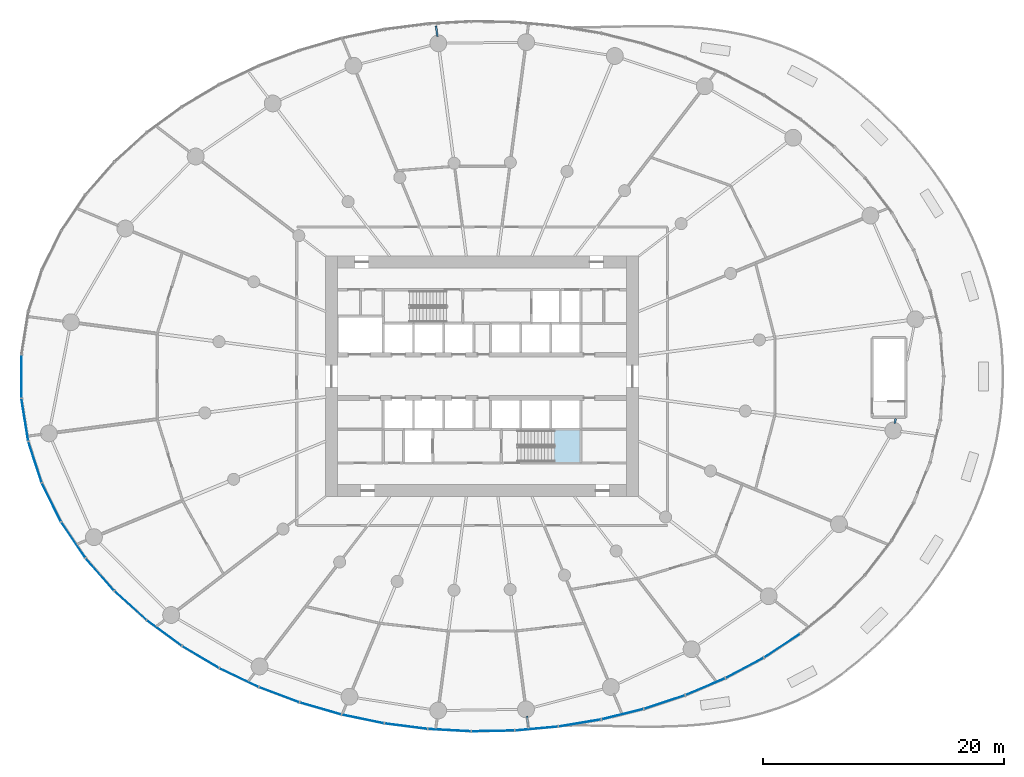
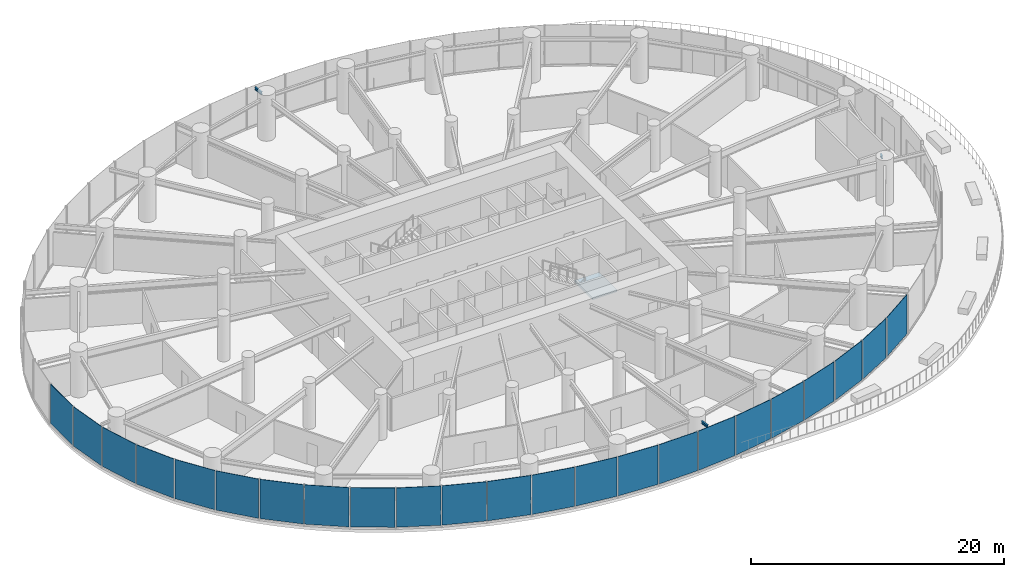
# One storey, part 8 of 21: 23 plates, 3 beams, 1 slab, 6 elements without a shape of their own.
"""IFC4 building model written with IfcOpenShell, lengths in metres."""

from ifc_helpers import new_model, si_unit, direction, frame, origin, origin_2d, place, context, subcontext, project, spatial, line, indexed_curve, rectangle, i_section, outline, extrude, source, transform, mapped, material, layer, layer_set, material_profile, profile_set, type_object, element, aggregate, save


model = new_model("IFC4")

# Units and contexts
model_context = context("Model", 3, precision=1e-05, world=origin(), true_north=direction((0.0, 1.0)))
body_context = subcontext(model_context, "Body", "Model", "MODEL_VIEW")
ifc_project = project(units=[si_unit("LENGTHUNIT", "METRE"), si_unit("AREAUNIT", "SQUARE_METRE"), si_unit("VOLUMEUNIT", "CUBIC_METRE"), si_unit("PLANEANGLEUNIT", "RADIAN"), si_unit("MASSUNIT", "GRAM", prefix="KILO")], contexts=[model_context])

# Site, building, storey
site_placement = place(None, origin())
site = spatial("IfcSite", under=ifc_project, at=site_placement, CompositionType="ELEMENT")
building_placement = place(site_placement, origin())
building = spatial("IfcBuilding", under=site, at=building_placement, Name="Spindrift Exchange Tower", CompositionType="ELEMENT")
storey_placement = place(building_placement, frame((0.0, 0.0, 18.199951171875)))
storey = spatial("IfcBuildingStorey", under=building, at=storey_placement, Name="L04", CompositionType="ELEMENT", Elevation=18.199951171875)

# Beams
ifc_material_1 = material(Name="Steel Grade 300", Category="steel")
ifc_material_profile_1 = material_profile(ifc_material_1, i_section(OverallWidth=0.14599609375, OverallDepth=0.251953125, WebThickness=0.006103515625, FlangeThickness=0.008544921875, FilletRadius=0.011962890625, at=origin_2d()), Name="250UB31.4")
ifc_profile_set_1 = profile_set([ifc_material_profile_1], Name="Steel Grade 300")
beam_type_1 = type_object("IfcBeamType", Name="Cantilever Beam 250UB31.4 Steel Grade 300", PredefinedType="BEAM", material=ifc_profile_set_1)
shared_shape_1 = source(origin(), body_context, "Body", "SweptSolid", [
    extrude(i_section(OverallWidth=0.14599609375, OverallDepth=0.251953125, WebThickness=0.006103515625, FlangeThickness=0.008544921875, FilletRadius=0.011962890625, at=origin_2d()), origin(), (0.0, 0.0, 1.0), 0.892333984375),
])
for number, where, z_axis, x_axis, name in (
    (1, (48.28271484375, 76.236328125, 3.823974609375), (-0.13049697393, 0.991448707597, 0.0), (-0.991448707597, -0.13049697393, 0.0), "L04 cantilever beam R07T"),
    (2, (55.71728515625, 19.763671875, 3.823974609375), (0.13049697393, -0.991448707597, 0.0), (0.991448707597, 0.13049697393, 0.0), "L04 cantilever beam R19T"),
):
    element("IfcBeam", number, at=place(storey_placement, frame(where, z_axis=z_axis, x_axis=x_axis)), inside=storey, type_object=beam_type_1, Name=name, PredefinedType="BEAM", context=body_context, shape_type="MappedRepresentation", body=[
        mapped(shared_shape_1, transform((0.0, 0.0, 0.0), scale=1.0)),
    ])
ifc_material_profile_2 = material_profile(ifc_material_1, i_section(OverallWidth=0.14599609375, OverallDepth=0.251953125, WebThickness=0.006103515625, FlangeThickness=0.008544921875, FilletRadius=0.011962890625, at=origin_2d()), Name="250UB31.4")
ifc_profile_set_2 = profile_set([ifc_material_profile_2], Name="Steel Grade 300")
beam_type_2 = type_object("IfcBeamType", Name="Edge Beam 250UB31.4 Steel Grade 300", PredefinedType="SPANDREL", material=ifc_profile_set_2)
shared_shape_2 = source(origin(), body_context, "Body", "SweptSolid", [
    extrude(i_section(OverallWidth=0.14599609375, OverallDepth=0.251953125, WebThickness=0.006103515625, FlangeThickness=0.008544921875, FilletRadius=0.011962890625, at=origin_2d()), origin(), (0.0, 0.0, 1.0), 0.4169921875),
])
beam_placement = place(storey_placement, frame((86.27392578125, 44.071533203125, 3.823974609375), z_axis=(0.194426549489, 0.9809170795, 0.0), x_axis=(-0.9809170795, 0.194426549489, 0.0)))
element("IfcBeam", 3, at=beam_placement, inside=storey, type_object=beam_type_2, Name="L04 edge beam E24a", PredefinedType="SPANDREL", context=body_context, shape_type="MappedRepresentation", body=[
    mapped(shared_shape_2, transform((0.0, 0.0, 0.0), scale=1.0)),
])

# Stair, slab
ifc_material_2 = material(Name="Concrete 50 MPa", Category="concrete")
stair_type = type_object("IfcStairType", Name="ST-1250-R183", PredefinedType="HALF_TURN_STAIR", material=ifc_material_2)
stair_placement = place(storey_placement, origin())
stair = element("IfcStair", 4, at=stair_placement, inside=storey, type_object=stair_type, Name="L04 Exit stair ST2", PredefinedType="HALF_TURN_STAIR")
ifc_layer_1 = layer(ifc_material_2, 0.199951171875)
ifc_layer_set_1 = layer_set([ifc_layer_1], Name="SL-LANDING")
slab_type = type_object("IfcSlabType", Name="SL-LANDING", PredefinedType="LANDING", material=ifc_layer_set_1)
slab_placement = place(storey_placement, frame((0.0, 0.0, 2.0)))
slab = element("IfcSlab", 5, at=slab_placement, type_object=slab_type, Name="ST2 landing 1", PredefinedType="LANDING", context=body_context, shape_type="SweptSolid", body=[
    extrude(outline(indexed_curve([(57.949951171875, 43.60009765625), (60.199951171875, 43.60009765625), (60.199951171875, 40.800048828125), (57.949951171875, 40.800048828125)], segments=[line(1, 2, 3, 4, 1)], self_intersect=False)), origin(), (0.0, 0.0, 1.0), 0.199951171875),
])
aggregate(stair, [slab])

# Curtain wall, plate
ifc_material_3 = material(Name="Fritted laminated glass with bronze frame", Category="glass")
ifc_layer_2 = layer(ifc_material_3, 0.219970703125)
ifc_layer_set_2 = layer_set([ifc_layer_2], Name="PODIUM BRONZE GLAZED WALL")
curtain_wall_type = type_object("IfcCurtainWallType", Name="PODIUM BRONZE GLAZED WALL", PredefinedType="NOTDEFINED", material=ifc_layer_set_2)
curtain_wall_1_placement = place(storey_placement, origin())
curtain_wall_1 = element("IfcCurtainWall", 6, at=curtain_wall_1_placement, inside=storey, type_object=curtain_wall_type, Name="L04 Podium Bronze Glazed Wall run 5", PredefinedType="NOTDEFINED")
ifc_material_4 = material(Name="Bronze tinted laminated glass, light frit", Category="glass")
ifc_layer_3 = layer(ifc_material_4, 0.0400390625)
ifc_layer_set_3 = layer_set([ifc_layer_3], Name="PODIUM BRONZE GLAZED WALL PANEL LIGHT FRIT 720")
plate_type_1 = type_object("IfcPlateType", Name="PODIUM BRONZE GLAZED WALL PANEL LIGHT FRIT 720", PredefinedType="CURTAIN_PANEL", material=ifc_layer_set_3)
shared_shape_3 = source(origin(), body_context, "Body", "SweptSolid", [
    extrude(rectangle(XDim=3.534423828125, YDim=0.0400390625, at=origin_2d()), origin(), (0.0, 0.0, 1.0), 3.7900390625),
])
plate_1_placement = place(storey_placement, frame((13.722412109375, 48.0, 0.159912109375), z_axis=(0.0, 0.0, 1.0), x_axis=(0.0, -1.0, 0.0)))
plate_1 = element("IfcPlate", 7, at=plate_1_placement, type_object=plate_type_1, Name="L04 panel CW-P.30", PredefinedType="CURTAIN_PANEL", context=body_context, shape_type="MappedRepresentation", body=[
    mapped(shared_shape_3, transform((0.0, 0.0, 0.0), scale=1.0)),
])
aggregate(curtain_wall_1, [plate_1])

# Curtain wall, plates
curtain_wall_2_placement = place(storey_placement, origin())
curtain_wall_2 = element("IfcCurtainWall", 8, at=curtain_wall_2_placement, inside=storey, type_object=curtain_wall_type, Name="L04 Podium Bronze Glazed Wall run 6", PredefinedType="NOTDEFINED")
plate_2_placement = place(storey_placement, frame((14.009033203125, 44.3984375, 0.159912109375), z_axis=(0.0, 0.0, 1.0), x_axis=(0.158202874509, -0.987406628749, 0.0)))
plate_2 = element("IfcPlate", 9, at=plate_2_placement, type_object=plate_type_1, Name="L04 panel CW-P.31", PredefinedType="CURTAIN_PANEL", context=body_context, shape_type="MappedRepresentation", body=[
    mapped(shared_shape_3, transform((0.0, 0.0, 0.0), scale=1.0)),
])
ifc_layer_4 = layer(ifc_material_4, 0.0400390625)
ifc_layer_set_4 = layer_set([ifc_layer_4], Name="PODIUM BRONZE GLAZED WALL PANEL LIGHT FRIT 1200")
plate_type_2 = type_object("IfcPlateType", Name="PODIUM BRONZE GLAZED WALL PANEL LIGHT FRIT 1200", PredefinedType="CURTAIN_PANEL", material=ifc_layer_set_4)
shared_shape_4 = source(origin(), body_context, "Body", "SweptSolid", [
    extrude(rectangle(XDim=3.535888671875, YDim=0.0400390625, at=origin_2d()), origin(), (0.0, 0.0, 1.0), 3.7900390625),
])
plate_3_placement = place(storey_placement, frame((20.243896484375, 31.543212890625, 0.159912109375), z_axis=(0.0, 0.0, 1.0), x_axis=(0.658844405135, -0.752279236602, 0.0)))
plate_3 = element("IfcPlate", 10, at=plate_3_placement, type_object=plate_type_2, Name="L04 panel CW-P.35", PredefinedType="CURTAIN_PANEL", context=body_context, shape_type="MappedRepresentation", body=[
    mapped(shared_shape_4, transform((0.0, 0.0, 0.0), scale=1.0)),
])

# Curtain wall, plate
curtain_wall_3_placement = place(storey_placement, origin())
curtain_wall_3 = element("IfcCurtainWall", 11, at=curtain_wall_3_placement, inside=storey, type_object=curtain_wall_type, Name="L04 Podium Bronze Glazed Wall run 7", PredefinedType="NOTDEFINED")
ifc_layer_5 = layer(ifc_material_4, 0.0400390625)
ifc_layer_set_5 = layer_set([ifc_layer_5], Name="PODIUM BRONZE GLAZED WALL PANEL LIGHT FRIT 960")
plate_type_3 = type_object("IfcPlateType", Name="PODIUM BRONZE GLAZED WALL PANEL LIGHT FRIT 960", PredefinedType="CURTAIN_PANEL", material=ifc_layer_set_5)
shared_shape_5 = source(origin(), body_context, "Body", "SweptSolid", [
    extrude(rectangle(XDim=3.53662109375, YDim=0.0400390625, at=origin_2d()), origin(), (0.0, 0.0, 1.0), 3.7900390625),
])
plate_4_placement = place(storey_placement, frame((25.585693359375, 26.669677734375, 0.159912109375), z_axis=(0.0, 0.0, 1.0), x_axis=(0.806640645628, -0.591042188698, 0.0)))
plate_4 = element("IfcPlate", 12, at=plate_4_placement, type_object=plate_type_3, Name="L04 panel CW-P.37", PredefinedType="CURTAIN_PANEL", context=body_context, shape_type="MappedRepresentation", body=[
    mapped(shared_shape_5, transform((0.0, 0.0, 0.0), scale=1.0)),
])

curtain_wall_4_placement = place(storey_placement, origin())
curtain_wall_4 = element("IfcCurtainWall", 13, at=curtain_wall_4_placement, inside=storey, type_object=curtain_wall_type, Name="L04 Podium Bronze Glazed Wall run 9", PredefinedType="NOTDEFINED")
shared_shape_6 = source(origin(), body_context, "Body", "SweptSolid", [
    extrude(rectangle(XDim=3.536865234375, YDim=0.0400390625, at=origin_2d()), origin(), (0.0, 0.0, 1.0), 3.7900390625),
])
plate_5_placement = place(storey_placement, frame((76.92724609375, 25.634521484375, 0.159912109375), z_axis=(0.0, 0.0, 1.0), x_axis=(0.834796938874, 0.550557963203, 0.0)))
plate_5 = element("IfcPlate", 14, at=plate_5_placement, type_object=plate_type_2, Name="L04 panel CW-P.52", PredefinedType="CURTAIN_PANEL", context=body_context, shape_type="MappedRepresentation", body=[
    mapped(shared_shape_6, transform((0.0, 0.0, 0.0), scale=1.0)),
])

# Plate
shared_shape_7 = source(origin(), body_context, "Body", "SweptSolid", [
    extrude(rectangle(XDim=3.537109375, YDim=0.0400390625, at=origin_2d()), origin(), (0.0, 0.0, 1.0), 3.7900390625),
])
plate_6_placement = place(storey_placement, frame((31.80419921875, 22.9658203125, 0.159912109375), z_axis=(0.0, 0.0, 1.0), x_axis=(0.902455253843, -0.43078360555, 0.0)))
plate_6 = element("IfcPlate", 15, at=plate_6_placement, type_object=plate_type_1, Name="L04 panel CW-P.39", PredefinedType="CURTAIN_PANEL", context=body_context, shape_type="MappedRepresentation", body=[
    mapped(shared_shape_7, transform((0.0, 0.0, 0.0), scale=1.0)),
])

shared_shape_8 = source(origin(), body_context, "Body", "SweptSolid", [
    extrude(rectangle(XDim=3.537353515625, YDim=0.0400390625, at=origin_2d()), origin(), (0.0, 0.0, 1.0), 3.7900390625),
])
plate_7_placement = place(storey_placement, frame((67.15380859375, 20.939208984375, 0.159912109375), z_axis=(0.0, 0.0, 1.0), x_axis=(0.949246669379, 0.314532606692, 0.0)))
plate_7 = element("IfcPlate", 16, at=plate_7_placement, type_object=plate_type_1, Name="L04 panel CW-P.49", PredefinedType="CURTAIN_PANEL", context=body_context, shape_type="MappedRepresentation", body=[
    mapped(shared_shape_8, transform((0.0, 0.0, 0.0), scale=1.0)),
])

shared_shape_9 = source(origin(), body_context, "Body", "SweptSolid", [
    extrude(rectangle(XDim=3.537353515625, YDim=0.0400390625, at=origin_2d()), origin(), (0.0, 0.0, 1.0), 3.7900390625),
])
plate_8_placement = place(storey_placement, frame((42.096923828125, 19.53564453125, 0.159912109375), z_axis=(0.0, 0.0, 1.0), x_axis=(0.979461386098, -0.20163182572, 0.0)))
plate_8 = element("IfcPlate", 17, at=plate_8_placement, type_object=plate_type_2, Name="L04 panel CW-P.42", PredefinedType="CURTAIN_PANEL", context=body_context, shape_type="MappedRepresentation", body=[
    mapped(shared_shape_9, transform((0.0, 0.0, 0.0), scale=1.0)),
])

# Curtain wall, plate
curtain_wall_5_placement = place(storey_placement, origin())
curtain_wall_5 = element("IfcCurtainWall", 18, at=curtain_wall_5_placement, inside=storey, type_object=curtain_wall_type, Name="L04 Podium Bronze Glazed Wall run 8", PredefinedType="NOTDEFINED")
plate_9_placement = place(storey_placement, frame((60.12109375, 19.20361328125, 0.159912109375), z_axis=(0.0, 0.0, 1.0), x_axis=(0.98635895977, 0.164608634286, 0.0)))
plate_9 = element("IfcPlate", 19, at=plate_9_placement, type_object=plate_type_2, Name="L04 panel CW-P.47", PredefinedType="CURTAIN_PANEL", context=body_context, shape_type="MappedRepresentation", body=[
    mapped(shared_shape_9, transform((0.0, 0.0, 0.0), scale=1.0)),
])

# Plate
shared_shape_10 = source(origin(), body_context, "Body", "SweptSolid", [
    extrude(rectangle(XDim=3.537353515625, YDim=0.0400390625, at=origin_2d()), origin(), (0.0, 0.0, 1.0), 3.7900390625),
])
plate_10_placement = place(storey_placement, frame((38.57763671875, 20.40283203125, 0.159912109375), z_axis=(0.0, 0.0, 1.0), x_axis=(0.961001004302, -0.276544878332, 0.0)))
plate_10 = element("IfcPlate", 20, at=plate_10_placement, type_object=plate_type_3, Name="L04 panel CW-P.41", PredefinedType="CURTAIN_PANEL", context=body_context, shape_type="MappedRepresentation", body=[
    mapped(shared_shape_10, transform((0.0, 0.0, 0.0), scale=1.0)),
])

plate_11_placement = place(storey_placement, frame((45.672119140625, 18.938232421875, 0.159912109375), z_axis=(0.0, 0.0, 1.0), x_axis=(0.991799025411, -0.127807250158, 0.0)))
plate_11 = element("IfcPlate", 21, at=plate_11_placement, type_object=plate_type_3, Name="L04 panel CW-P.43", PredefinedType="CURTAIN_PANEL", context=body_context, shape_type="MappedRepresentation", body=[
    mapped(shared_shape_10, transform((0.0, 0.0, 0.0), scale=1.0)),
])

plate_12_placement = place(storey_placement, frame((49.281982421875, 18.607421875, 0.159912109375), z_axis=(0.0, 0.0, 1.0), x_axis=(0.998507646008, -0.054612094476, 0.0)))
plate_12 = element("IfcPlate", 22, at=plate_12_placement, type_object=plate_type_3, Name="L04 panel CW-P.44", PredefinedType="CURTAIN_PANEL", context=body_context, shape_type="MappedRepresentation", body=[
    mapped(shared_shape_10, transform((0.0, 0.0, 0.0), scale=1.0)),
])

plate_13_placement = place(storey_placement, frame((52.906494140625, 18.541259765625, 0.159912109375), z_axis=(0.0, 0.0, 1.0), x_axis=(0.999834474509, 0.018194053526, 0.0)))
plate_13 = element("IfcPlate", 23, at=plate_13_placement, type_object=plate_type_3, Name="L04 panel CW-P.45", PredefinedType="CURTAIN_PANEL", context=body_context, shape_type="MappedRepresentation", body=[
    mapped(shared_shape_10, transform((0.0, 0.0, 0.0), scale=1.0)),
])

plate_14_placement = place(storey_placement, frame((56.52587890625, 18.739501953125, 0.159912109375), z_axis=(0.0, 0.0, 1.0), x_axis=(0.995838079649, 0.091140107088, 0.0)))
plate_14 = element("IfcPlate", 24, at=plate_14_placement, type_object=plate_type_3, Name="L04 panel CW-P.46", PredefinedType="CURTAIN_PANEL", context=body_context, shape_type="MappedRepresentation", body=[
    mapped(shared_shape_10, transform((0.0, 0.0, 0.0), scale=1.0)),
])

plate_15_placement = place(storey_placement, frame((63.671142578125, 19.935302734375, 0.159912109375), z_axis=(0.0, 0.0, 1.0), x_axis=(0.971034278054, 0.238940224416, 0.0)))
plate_15 = element("IfcPlate", 25, at=plate_15_placement, type_object=plate_type_3, Name="L04 panel CW-P.48", PredefinedType="CURTAIN_PANEL", context=body_context, shape_type="MappedRepresentation", body=[
    mapped(shared_shape_10, transform((0.0, 0.0, 0.0), scale=1.0)),
])

aggregate(curtain_wall_5, [plate_11, plate_12, plate_13, plate_14, plate_9, plate_15])

shared_shape_11 = source(origin(), body_context, "Body", "SweptSolid", [
    extrude(rectangle(XDim=3.537109375, YDim=0.0400390625, at=origin_2d()), origin(), (0.0, 0.0, 1.0), 3.7900390625),
])
plate_16_placement = place(storey_placement, frame((35.1376953125, 21.54443359375, 0.159912109375), z_axis=(0.0, 0.0, 1.0), x_axis=(0.935663477322, -0.352893549398, 0.0)))
plate_16 = element("IfcPlate", 26, at=plate_16_placement, type_object=plate_type_3, Name="L04 panel CW-P.40", PredefinedType="CURTAIN_PANEL", context=body_context, shape_type="MappedRepresentation", body=[
    mapped(shared_shape_11, transform((0.0, 0.0, 0.0), scale=1.0)),
])

plate_17_placement = place(storey_placement, frame((70.544189453125, 22.219970703125, 0.159912109375), z_axis=(0.0, 0.0, 1.0), x_axis=(0.920121835815, 0.3916322347, 0.0)))
plate_17 = element("IfcPlate", 27, at=plate_17_placement, type_object=plate_type_3, Name="L04 panel CW-P.50", PredefinedType="CURTAIN_PANEL", context=body_context, shape_type="MappedRepresentation", body=[
    mapped(shared_shape_11, transform((0.0, 0.0, 0.0), scale=1.0)),
])

shared_shape_12 = source(origin(), body_context, "Body", "SweptSolid", [
    extrude(rectangle(XDim=3.534912109375, YDim=0.0400390625, at=origin_2d()), origin(), (0.0, 0.0, 1.0), 3.7900390625),
])
plate_18_placement = place(storey_placement, frame((14.85400390625, 40.884765625, 0.159912109375), z_axis=(0.0, 0.0, 1.0), x_axis=(0.307989331953, -0.951389810437, 0.0)))
plate_18 = element("IfcPlate", 28, at=plate_18_placement, type_object=plate_type_2, Name="L04 panel CW-P.32", PredefinedType="CURTAIN_PANEL", context=body_context, shape_type="MappedRepresentation", body=[
    mapped(shared_shape_12, transform((0.0, 0.0, 0.0), scale=1.0)),
])

shared_shape_13 = source(origin(), body_context, "Body", "SweptSolid", [
    extrude(rectangle(XDim=3.53515625, YDim=0.0400390625, at=origin_2d()), origin(), (0.0, 0.0, 1.0), 3.7900390625),
])
plate_19_placement = place(storey_placement, frame((16.21533203125, 37.535400390625, 0.159912109375), z_axis=(0.0, 0.0, 1.0), x_axis=(0.443060238143, -0.896491843452, 0.0)))
plate_19 = element("IfcPlate", 29, at=plate_19_placement, type_object=plate_type_3, Name="L04 panel CW-P.33", PredefinedType="CURTAIN_PANEL", context=body_context, shape_type="MappedRepresentation", body=[
    mapped(shared_shape_13, transform((0.0, 0.0, 0.0), scale=1.0)),
])

shared_shape_14 = source(origin(), body_context, "Body", "SweptSolid", [
    extrude(rectangle(XDim=3.53564453125, YDim=0.0400390625, at=origin_2d()), origin(), (0.0, 0.0, 1.0), 3.7900390625),
])
plate_20_placement = place(storey_placement, frame((18.033935546875, 34.40869140625, 0.159912109375), z_axis=(0.0, 0.0, 1.0), x_axis=(0.560174985227, -0.828374303033, 0.0)))
plate_20 = element("IfcPlate", 30, at=plate_20_placement, type_object=plate_type_3, Name="L04 panel CW-P.34", PredefinedType="CURTAIN_PANEL", context=body_context, shape_type="MappedRepresentation", body=[
    mapped(shared_shape_14, transform((0.0, 0.0, 0.0), scale=1.0)),
])

shared_shape_15 = source(origin(), body_context, "Body", "SweptSolid", [
    extrude(rectangle(XDim=3.536376953125, YDim=0.0400390625, at=origin_2d()), origin(), (0.0, 0.0, 1.0), 3.7900390625),
])
plate_21_placement = place(storey_placement, frame((22.78076171875, 28.960205078125, 0.159912109375), z_axis=(0.0, 0.0, 1.0), x_axis=(0.740315520341, -0.672259570659, 0.0)))
plate_21 = element("IfcPlate", 31, at=plate_21_placement, type_object=plate_type_1, Name="L04 panel CW-P.36", PredefinedType="CURTAIN_PANEL", context=body_context, shape_type="MappedRepresentation", body=[
    mapped(shared_shape_15, transform((0.0, 0.0, 0.0), scale=1.0)),
])

aggregate(curtain_wall_2, [plate_2, plate_18, plate_19, plate_20, plate_3, plate_21])

shared_shape_16 = source(origin(), body_context, "Body", "SweptSolid", [
    extrude(rectangle(XDim=3.536865234375, YDim=0.0400390625, at=origin_2d()), origin(), (0.0, 0.0, 1.0), 3.7900390625),
])
plate_22_placement = place(storey_placement, frame((28.60791015625, 24.67236328125, 0.159912109375), z_axis=(0.0, 0.0, 1.0), x_axis=(0.859995699192, -0.510301280982, 0.0)))
plate_22 = element("IfcPlate", 32, at=plate_22_placement, type_object=plate_type_3, Name="L04 panel CW-P.38", PredefinedType="CURTAIN_PANEL", context=body_context, shape_type="MappedRepresentation", body=[
    mapped(shared_shape_16, transform((0.0, 0.0, 0.0), scale=1.0)),
])

aggregate(curtain_wall_3, [plate_4, plate_22, plate_6, plate_16, plate_10, plate_8])

plate_23_placement = place(storey_placement, frame((73.813232421875, 23.782958984375, 0.159912109375), z_axis=(0.0, 0.0, 1.0), x_axis=(0.88248339165, 0.470343558967, 0.0)))
plate_23 = element("IfcPlate", 33, at=plate_23_placement, type_object=plate_type_3, Name="L04 panel CW-P.51", PredefinedType="CURTAIN_PANEL", context=body_context, shape_type="MappedRepresentation", body=[
    mapped(shared_shape_16, transform((0.0, 0.0, 0.0), scale=1.0)),
])

aggregate(curtain_wall_4, [plate_7, plate_17, plate_23, plate_5])

save(model, "model.ifc")
